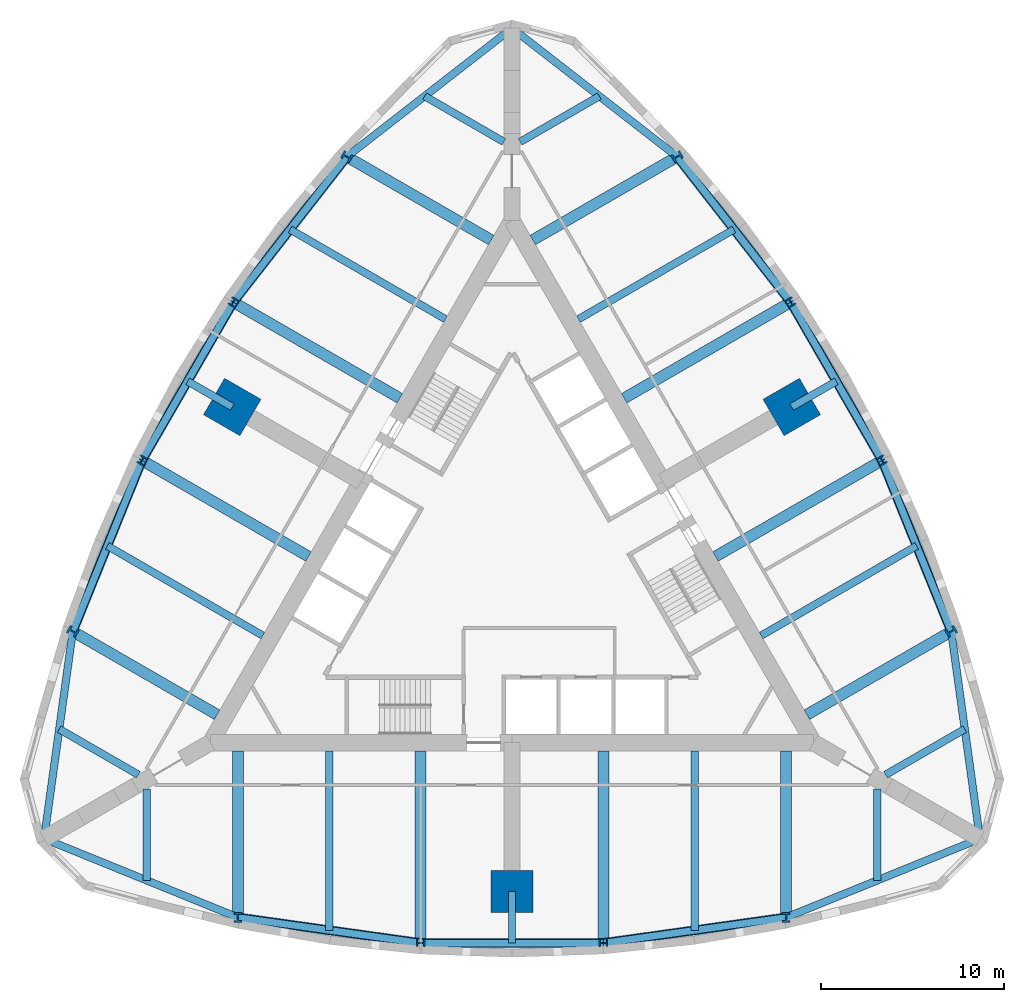
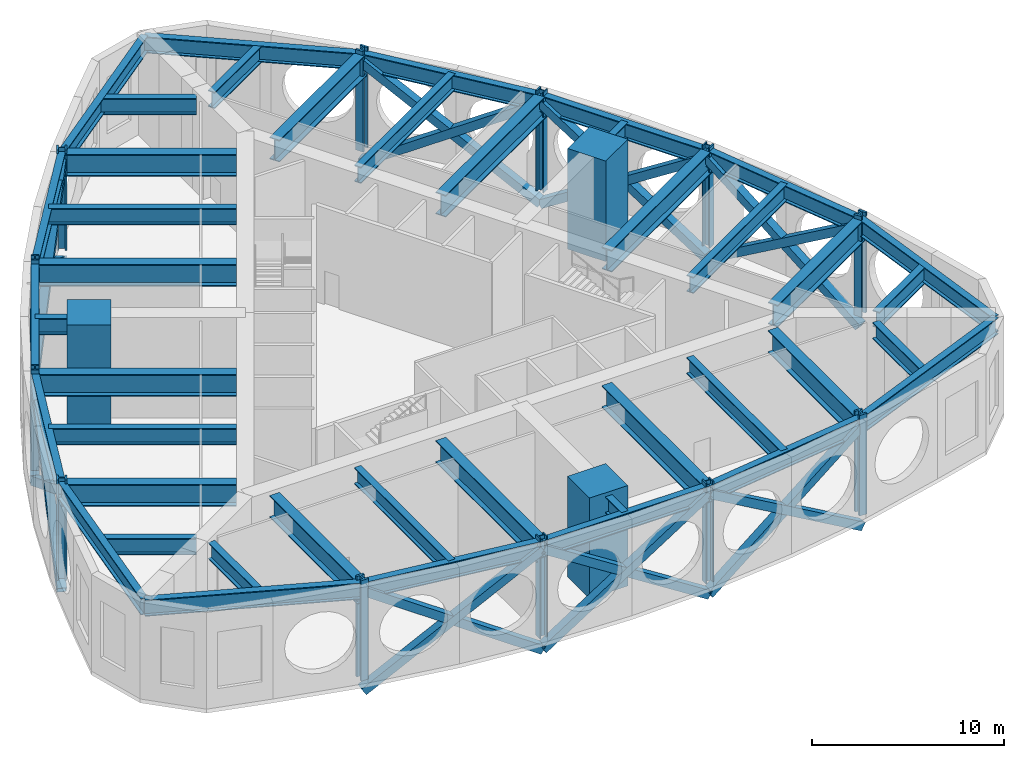
# One storey, part 1 of 7: 42 beams, 18 members, 15 columns.
"""IFC4 building model written with IfcOpenShell, lengths in metres."""

import ifcopenshell
import ifcopenshell.guid

model = None  # the IFC model being written
_history = None  # IfcOwnerHistory: only IFC2X3 demands one
_inside = {}  # id of a spatial element -> (the spatial element, [elements in it])
_under = {}  # id of a project, library or spatial element -> (it, [spatial elements below it])
_declared = {}  # id of a project -> (the project, [libraries it declares])
_typed = {}  # id of a type object -> (the type object, [elements of that type])
_made_of = {}  # id of a material, layer set ... -> (it, [elements and type objects made of it])


def new_model(schema):
    """Start an empty IFC model of exactly this schema.

    Asked for "IFC4X3", IfcOpenShell would pick the latest addendum, in which some entities
    have other attributes; the version numbers below select the first issue.
    IFC2X3 requires an IfcOwnerHistory on every rooted entity: one is made here for all.
    """
    global model, _history
    if schema == "IFC4X3":
        model = ifcopenshell.file(schema_version=(4, 3, 0, 0))
    else:
        model = ifcopenshell.file(schema=schema)
    _inside.clear()
    _under.clear()
    _declared.clear()
    _typed.clear()
    _made_of.clear()
    _history = None
    if model.schema == "IFC2X3":
        org = make("IfcOrganization", Name="unknown")
        user = make(
            "IfcPersonAndOrganization",
            ThePerson=make("IfcPerson", FamilyName="unknown"),
            TheOrganization=org,
        )
        app = make(
            "IfcApplication",
            ApplicationDeveloper=org,
            Version="unknown",
            ApplicationFullName="unknown",
            ApplicationIdentifier="unknown",
        )
        _history = make(
            "IfcOwnerHistory",
            OwningUser=user,
            OwningApplication=app,
            ChangeAction="ADDED",
            CreationDate=0,
        )
    return model


def make(cls, **values):
    """One entity of the class cls with the attributes given. An attribute that is None is left unset."""
    return model.create_entity(
        cls, **{name: value for name, value in values.items() if value is not None}
    )


def rooted(cls, **values):
    """An entity with a GlobalId (a new one), such as an element, a storey or a relation."""
    return make(cls, GlobalId=ifcopenshell.guid.new(), OwnerHistory=_history, **values)


def si_unit(unit_type, name, prefix=None):
    """IfcSIUnit, for example si_unit("LENGTHUNIT", "METRE", prefix="MILLI")."""
    return make("IfcSIUnit", UnitType=unit_type, Prefix=prefix, Name=name)


def assignment(units):
    """IfcUnitAssignment: the units of a project."""
    return None if units is None else make("IfcUnitAssignment", Units=units)


def point(xyz):
    """IfcCartesianPoint."""
    return None if xyz is None else make("IfcCartesianPoint", Coordinates=xyz)


def direction(xyz):
    """IfcDirection."""
    return None if xyz is None else make("IfcDirection", DirectionRatios=xyz)


def frame(location, z_axis=None, x_axis=None):
    """IfcAxis2Placement3D, a coordinate frame: its origin and axes. An axis left out is left unset."""
    return make(
        "IfcAxis2Placement3D",
        Location=point(location),
        Axis=direction(z_axis),
        RefDirection=direction(x_axis),
    )


def frame_2d(location, x_axis=None):
    """IfcAxis2Placement2D, a coordinate frame in the plane: its origin and x axis."""
    return make(
        "IfcAxis2Placement2D", Location=point(location), RefDirection=direction(x_axis)
    )


def origin():
    """The frame at (0, 0, 0) with its axes left unset."""
    return frame((0.0, 0.0, 0.0))


def origin_2d():
    """The frame at (0, 0) in the plane with its x axis left unset."""
    return frame_2d((0.0, 0.0))


def place(relative_to, where):
    """IfcLocalPlacement: puts the frame where relative to a parent placement (None: the world)."""
    return make(
        "IfcLocalPlacement", PlacementRelTo=relative_to, RelativePlacement=where
    )


def context(
    kind, dimensions, precision=None, world=None, true_north=None, identifier=None
):
    """IfcGeometricRepresentationContext, for example the 3D "Model" context."""
    return make(
        "IfcGeometricRepresentationContext",
        ContextIdentifier=identifier,
        ContextType=kind,
        CoordinateSpaceDimension=dimensions,
        Precision=precision,
        WorldCoordinateSystem=world,
        TrueNorth=true_north,
    )


def subcontext(parent, identifier, kind, view, scale=None):
    """IfcGeometricRepresentationSubContext, for example "Body" below "Model"."""
    return make(
        "IfcGeometricRepresentationSubContext",
        ContextIdentifier=identifier,
        ContextType=kind,
        ParentContext=parent,
        TargetScale=scale,
        TargetView=view,
    )


def project(units=None, contexts=None):
    """IfcProject with its units and contexts."""
    return rooted(
        "IfcProject",
        Name="project",
        RepresentationContexts=contexts,
        UnitsInContext=assignment(units),
    )


def spatial(cls, under=None, at=None, **own):
    """A site, building, storey or space (cls), placed at a placement, below another one or the project."""
    s = rooted(cls, ObjectPlacement=at, **own)
    if under is not None:
        _under.setdefault(under.id(), (under, []))[1].append(s)
    return s


def profile(cls, at=None, kind="AREA", **sizes):
    """A parametric profile (cls). Its sizes go by their IFC names, for example OverallWidth=200.0."""
    return make(cls, ProfileType=kind, Position=at, **sizes)


def rectangle(**sizes):
    """IfcRectangleProfileDef."""
    return profile("IfcRectangleProfileDef", **sizes)


def hollow_rectangle(**sizes):
    """IfcRectangleHollowProfileDef."""
    return profile("IfcRectangleHollowProfileDef", **sizes)


def i_section(**sizes):
    """IfcIShapeProfileDef."""
    return profile("IfcIShapeProfileDef", **sizes)


def extrude(swept, where, along, depth):
    """IfcExtrudedAreaSolid: the profile swept, set in the frame where, extruded along a direction by depth."""
    return make(
        "IfcExtrudedAreaSolid",
        SweptArea=swept,
        Position=where,
        ExtrudedDirection=direction(along),
        Depth=depth,
    )


def shape(context_of_items, identifier, shape_type, items):
    """IfcShapeRepresentation: the items that make up one representation, for example the "Body"."""
    return make(
        "IfcShapeRepresentation",
        ContextOfItems=context_of_items,
        RepresentationIdentifier=identifier,
        RepresentationType=shape_type,
        Items=items,
    )


def material(Name=None, Category=None):
    """IfcMaterial."""
    return make("IfcMaterial", Name=Name, Category=Category)


def material_profile(
    of_material, cross_section, Name=None, Category=None, Priority=None
):
    """IfcMaterialProfile: a cross section and its material."""
    return make(
        "IfcMaterialProfile",
        Name=Name,
        Material=of_material,
        Profile=cross_section,
        Priority=Priority,
        Category=Category,
    )


def profile_set(profiles, Name=None, composite=None):
    """IfcMaterialProfileSet."""
    return make(
        "IfcMaterialProfileSet",
        Name=Name,
        MaterialProfiles=profiles,
        CompositeProfile=composite,
    )


def made_of(thing, what):
    """Note that an element or type object is made of a material, layer set ...; save() writes the relation."""
    if what is not None:
        _made_of.setdefault(what.id(), (what, []))[1].append(thing)
    return thing


def type_object(cls, material=None, **own):
    """A type object (cls), such as IfcWallType, which elements share."""
    return made_of(rooted(cls, **own), material)


def element(
    cls,
    number,
    at=None,
    inside=None,
    cuts=None,
    type_object=None,
    material=None,
    context=None,
    identifier="Body",
    shape_type=None,
    held_by="IfcProductDefinitionShape",
    body=None,
    shapes=None,
    **own,
):
    """One element of the class cls, such as IfcWall. Its Tag is "e" and its number.

    at: its placement. inside: the storey or other place that contains it. cuts: it is an
    opening in that element (IfcRelVoidsElement). A single representation is given by context,
    identifier, shape_type and body (its items); several are given by shapes. held_by: the class
    of the entity that holds the representations. save() writes the other relations.
    """
    e = rooted(cls, Tag="e%d" % number, ObjectPlacement=at, **own)
    if body is not None:
        shapes = [shape(context, identifier, shape_type, body)]
    if shapes is not None:
        e.Representation = make(held_by, Representations=shapes)
    if inside is not None:
        _inside.setdefault(inside.id(), (inside, []))[1].append(e)
    if cuts is not None:
        rooted(
            "IfcRelVoidsElement", RelatingBuildingElement=cuts, RelatedOpeningElement=e
        )
    if type_object is not None:
        _typed.setdefault(type_object.id(), (type_object, []))[1].append(e)
    return made_of(e, material)


def aggregate(whole, parts):
    """IfcRelAggregates: a whole, such as a stair, and the parts it consists of."""
    return rooted("IfcRelAggregates", RelatingObject=whole, RelatedObjects=parts)


def save(model, path):
    """Write the relations noted so far, then the file.

    IfcRelAggregates (storeys below a building ...), IfcRelContainedInSpatialStructure (elements
    in a storey), IfcRelDefinesByType, IfcRelAssociatesMaterial and IfcRelDeclares: one each for
    every whole, place, type object, material and project.
    """
    for whole, parts in _under.values():
        aggregate(whole, parts)
    for where, things in _inside.values():
        rooted(
            "IfcRelContainedInSpatialStructure",
            RelatedElements=things,
            RelatingStructure=where,
        )
    for kind, things in _typed.values():
        rooted("IfcRelDefinesByType", RelatedObjects=things, RelatingType=kind)
    for what, things in _made_of.values():
        rooted("IfcRelAssociatesMaterial", RelatedObjects=things, RelatingMaterial=what)
    for by, libraries in _declared.values():
        rooted("IfcRelDeclares", RelatingContext=by, RelatedDefinitions=libraries)
    model.write(path)


model = new_model("IFC4")

# Units and contexts
model_context = context("Model", 3, precision=1e-05, world=origin(), true_north=direction((0.0, 1.0)))
body_context = subcontext(model_context, "Body", "Model", "MODEL_VIEW")
ifc_project = project(units=[si_unit("LENGTHUNIT", "METRE"), si_unit("AREAUNIT", "SQUARE_METRE"), si_unit("VOLUMEUNIT", "CUBIC_METRE"), si_unit("PLANEANGLEUNIT", "RADIAN"), si_unit("MASSUNIT", "GRAM", prefix="KILO")], contexts=[model_context])

# Site, building, storey
site_placement = place(None, origin())
site = spatial("IfcSite", under=ifc_project, at=site_placement, CompositionType="ELEMENT")
building_placement = place(site_placement, origin())
building = spatial("IfcBuilding", under=site, at=building_placement, Name="Trikona Tower", CompositionType="ELEMENT")
storey_placement = place(building_placement, frame((0.0, 0.0, 189.5)))
storey = spatial("IfcBuildingStorey", under=building, at=storey_placement, Name="L51", CompositionType="ELEMENT", Elevation=189.5)

# Columns
ifc_material_1 = material(Name="Concrete f'c 10000 psi with encased steel section", Category="concrete")
ifc_material_profile_1 = material_profile(ifc_material_1, rectangle(XDim=2.300048828125, YDim=2.300048828125, at=origin_2d()), Name="MC2300")
ifc_profile_set_1 = profile_set([ifc_material_profile_1], Name="Concrete f'c 10000 psi with encased steel section")
column_type_1 = type_object("IfcColumnType", Name="Composite mega column 2300x2300", PredefinedType="COLUMN", material=ifc_profile_set_1)
for number, where, z_axis, x_axis, name in (
    (1, (0.0, -17.680419921875, 0.0), (0.0, 0.0, 1.0), (0.0, -1.0, 0.0), "Mega column MC1"),
    (2, (15.311767578125, 8.84033203125, 0.0), (0.0, 0.0, 1.0), (0.866025403784, 0.5, 0.0), "Mega column MC2"),
    (3, (-15.311767578125, 8.84033203125, 0.0), (0.0, 0.0, 1.0), (-0.866025403784, 0.5, 0.0), "Mega column MC3"),
):
    element("IfcColumn", number, at=place(storey_placement, frame(where, z_axis=z_axis, x_axis=x_axis)), inside=storey, type_object=column_type_1, Name=name, PredefinedType="COLUMN", context=body_context, shape_type="SweptSolid", body=[
        extrude(rectangle(XDim=2.300048828125, YDim=2.300048828125, at=origin_2d()), origin(), (0.0, 0.0, 1.0), 6.39990234375),
    ])
ifc_material_2 = material(Name="Steel ASTM A992 Grade 50", Category="steel")
ifc_material_profile_2 = material_profile(ifc_material_2, i_section(OverallWidth=0.424072265625, OverallDepth=0.47509765625, WebThickness=0.0478515625, FlangeThickness=0.0771484375, at=origin_2d()), Name="W14X426")
ifc_profile_set_2 = profile_set([ifc_material_profile_2], Name="Steel ASTM A992 Grade 50")
column_type_2 = type_object("IfcColumnType", Name="Steel column W14x426", PredefinedType="COLUMN", material=ifc_profile_set_2)
for number, where, z_axis, x_axis, name in (
    (4, (-5.0, -20.500244140625, 0.0), (0.0, 0.0, 1.0), (0.0, -1.0, 0.0), "Column F0m5"),
    (5, (5.0, -20.500244140625, 0.0), (0.0, 0.0, 1.0), (0.0, -1.0, 0.0), "Column F0p5"),
    (6, (20.253662109375, 5.919921875, 0.0), (0.0, 0.0, 1.0), (0.866025403784, 0.5, 0.0), "Column F1m5"),
    (7, (15.253662109375, 14.580078125, 0.0), (0.0, 0.0, 1.0), (0.866025403784, 0.5, 0.0), "Column F1p5"),
    (8, (-15.253662109375, 14.580078125, 0.0), (0.0, 0.0, 1.0), (-0.866025403784, 0.5, 0.0), "Column F2m5"),
    (9, (-20.253662109375, 5.919921875, 0.0), (0.0, 0.0, 1.0), (-0.866025403784, 0.5, 0.0), "Column F2p5"),
):
    element("IfcColumn", number, at=place(storey_placement, frame(where, z_axis=z_axis, x_axis=x_axis)), inside=storey, type_object=column_type_2, Name=name, PredefinedType="COLUMN", context=body_context, shape_type="SweptSolid", body=[
        extrude(i_section(OverallWidth=0.424072265625, OverallDepth=0.47509765625, WebThickness=0.0478515625, FlangeThickness=0.0771484375, at=origin_2d()), origin(), (0.0, 0.0, 1.0), 6.39990234375),
    ])
ifc_material_3 = material(Name="Steel ASTM A992 Grade 50", Category="steel")
ifc_material_profile_3 = material_profile(ifc_material_3, i_section(OverallWidth=0.45458984375, OverallDepth=0.56884765625, WebThickness=0.077880859375, FlangeThickness=0.124755859375, at=origin_2d()), Name="W14X730")
ifc_profile_set_3 = profile_set([ifc_material_profile_3], Name="Steel ASTM A992 Grade 50")
column_type_3 = type_object("IfcColumnType", Name="Steel column W14x730", PredefinedType="COLUMN", material=ifc_profile_set_3)
for number, where, z_axis, x_axis, name in (
    (10, (-15.0, -19.10009765625, 0.0), (0.0, 0.0, 1.0), (1.0, 0.0, 0.0), "Column F0m15"),
    (11, (15.0, -19.10009765625, 0.0), (0.0, 0.0, 1.0), (1.0, 0.0, 0.0), "Column F0p15"),
    (12, (24.041259765625, -3.440185546875, 0.0), (0.0, 0.0, 1.0), (-0.5, 0.866025403784, 0.0), "Column F1m15"),
    (13, (9.041259765625, 22.54052734375, 0.0), (0.0, 0.0, 1.0), (-0.5, 0.866025403784, 0.0), "Column F1p15"),
    (14, (-9.041259765625, 22.54052734375, 0.0), (0.0, 0.0, 1.0), (-0.5, -0.866025403784, 0.0), "Column F2m15"),
    (15, (-24.041259765625, -3.440185546875, 0.0), (0.0, 0.0, 1.0), (-0.5, -0.866025403784, 0.0), "Column F2p15"),
):
    element("IfcColumn", number, at=place(storey_placement, frame(where, z_axis=z_axis, x_axis=x_axis)), inside=storey, type_object=column_type_3, Name=name, PredefinedType="COLUMN", context=body_context, shape_type="SweptSolid", body=[
        extrude(i_section(OverallWidth=0.45458984375, OverallDepth=0.56884765625, WebThickness=0.077880859375, FlangeThickness=0.124755859375, at=origin_2d()), origin(), (0.0, 0.0, 1.0), 6.39990234375),
    ])

# Members
ifc_material_4 = material(Name="Steel ASTM A500 Grade C", Category="steel")
ifc_material_profile_4 = material_profile(ifc_material_4, hollow_rectangle(XDim=0.508056640625, YDim=0.508056640625, WallThickness=0.0146484375, at=origin_2d()), Name="HSS20X20X5/8")
ifc_profile_set_4 = profile_set([ifc_material_profile_4], Name="Steel ASTM A500 Grade C")
member_type = type_object("IfcMemberType", Name="Belt truss diagonal HSS20x20x5/8", PredefinedType="BRACE", material=ifc_profile_set_4)
for number, where, z_axis, x_axis, name in (
    (16, (-15.0, -19.10009765625, -0.770751953125), (0.83646933477, -0.117117959837, 0.535352627222), (0.13866207258, 0.990339754644, 0.0), "Belt truss diagonal L51 F1-2a"),
    (17, (-5.0, -20.500244140625, -0.770751953125), (-0.83646933477, 0.117117959837, 0.535352627222), (-0.13866207258, -0.990339754644, 0.0), "Belt truss diagonal L51 F1-2b"),
):
    element("IfcMember", number, at=place(storey_placement, frame(where, z_axis=z_axis, x_axis=x_axis)), inside=storey, type_object=member_type, Name=name, PredefinedType="BRACE", context=body_context, shape_type="SweptSolid", body=[
        extrude(hollow_rectangle(XDim=0.508056640625, YDim=0.508056640625, WallThickness=0.0146484375, at=origin_2d()), origin(), (0.0, 0.0, 1.0), 11.955078125),
    ])
for number, where, z_axis, x_axis, name in (
    (18, (-5.0, -20.500244140625, -0.770751953125), (0.842265798855, 0.0, 0.539062449145), (0.0, 1.0, 0.0), "Belt truss diagonal L51 F1-3a"),
    (19, (5.0, -20.500244140625, -0.770751953125), (-0.842265798855, 0.0, 0.539062449145), (0.0, -1.0, 0.0), "Belt truss diagonal L51 F1-3b"),
):
    element("IfcMember", number, at=place(storey_placement, frame(where, z_axis=z_axis, x_axis=x_axis)), inside=storey, type_object=member_type, Name=name, PredefinedType="BRACE", context=body_context, shape_type="SweptSolid", body=[
        extrude(hollow_rectangle(XDim=0.508056640625, YDim=0.508056640625, WallThickness=0.0146484375, at=origin_2d()), origin(), (0.0, 0.0, 1.0), 11.872802734375),
    ])
for number, where, z_axis, x_axis, name in (
    (20, (5.0, -20.500244140625, -0.770751953125), (0.83646933477, 0.117117959837, 0.535352627222), (-0.13866207258, 0.990339754644, 0.0), "Belt truss diagonal L51 F1-4a"),
    (21, (15.0, -19.10009765625, -0.770751953125), (-0.83646933477, -0.117117959837, 0.535352627222), (0.13866207258, -0.990339754644, 0.0), "Belt truss diagonal L51 F1-4b"),
):
    element("IfcMember", number, at=place(storey_placement, frame(where, z_axis=z_axis, x_axis=x_axis)), inside=storey, type_object=member_type, Name=name, PredefinedType="BRACE", context=body_context, shape_type="SweptSolid", body=[
        extrude(hollow_rectangle(XDim=0.508056640625, YDim=0.508056640625, WallThickness=0.0146484375, at=origin_2d()), origin(), (0.0, 0.0, 1.0), 11.955078125),
    ])
for number, where, z_axis, x_axis, name in (
    (22, (24.041259765625, -3.440185546875, -0.770751953125), (-0.316824147078, 0.782952235067, 0.535358064693), (-0.926981846307, -0.375106193787, 0.0), "Belt truss diagonal L51 F2-2a"),
    (23, (20.253662109375, 5.919921875, -0.770751953125), (0.316824147078, -0.782952235067, 0.535358064693), (0.926981846307, 0.375106193787, 0.0), "Belt truss diagonal L51 F2-2b"),
):
    element("IfcMember", number, at=place(storey_placement, frame(where, z_axis=z_axis, x_axis=x_axis)), inside=storey, type_object=member_type, Name=name, PredefinedType="BRACE", context=body_context, shape_type="SweptSolid", body=[
        extrude(hollow_rectangle(XDim=0.508056640625, YDim=0.508056640625, WallThickness=0.0146484375, at=origin_2d()), origin(), (0.0, 0.0, 1.0), 11.954833984375),
    ])
for number, where, z_axis, x_axis, name in (
    (24, (20.253662109375, 5.919921875, -0.770751953125), (-0.421135429509, 0.729419724392, 0.539065687723), (-0.866022959057, -0.500004234368, 0.0), "Belt truss diagonal L51 F2-3a"),
    (25, (15.253662109375, 14.580078125, -0.770751953125), (0.421135429509, -0.729419724392, 0.539065687723), (0.866022959057, 0.500004234368, 0.0), "Belt truss diagonal L51 F2-3b"),
):
    element("IfcMember", number, at=place(storey_placement, frame(where, z_axis=z_axis, x_axis=x_axis)), inside=storey, type_object=member_type, Name=name, PredefinedType="BRACE", context=body_context, shape_type="SweptSolid", body=[
        extrude(hollow_rectangle(XDim=0.508056640625, YDim=0.508056640625, WallThickness=0.0146484375, at=origin_2d()), origin(), (0.0, 0.0, 1.0), 11.87255859375),
    ])
for number, where, z_axis, x_axis, name in (
    (26, (15.253662109375, 14.580078125, -0.770751953125), (-0.519644252604, 0.665861844707, 0.53534834874), (-0.788346101046, -0.615232009054, 0.0), "Belt truss diagonal L51 F2-4a"),
    (27, (9.041259765625, 22.54052734375, -0.770751953125), (0.519644252604, -0.665861844707, 0.53534834874), (0.788346101046, 0.615232009054, 0.0), "Belt truss diagonal L51 F2-4b"),
    (28, (-9.041259765625, 22.54052734375, -0.770751953125), (-0.519644252604, -0.665861844707, 0.53534834874), (0.788346101046, -0.615232009054, 0.0), "Belt truss diagonal L51 F3-2a"),
    (29, (-15.253662109375, 14.580078125, -0.770751953125), (0.519644252604, 0.665861844707, 0.53534834874), (-0.788346101046, 0.615232009054, 0.0), "Belt truss diagonal L51 F3-2b"),
):
    element("IfcMember", number, at=place(storey_placement, frame(where, z_axis=z_axis, x_axis=x_axis)), inside=storey, type_object=member_type, Name=name, PredefinedType="BRACE", context=body_context, shape_type="SweptSolid", body=[
        extrude(hollow_rectangle(XDim=0.508056640625, YDim=0.508056640625, WallThickness=0.0146484375, at=origin_2d()), origin(), (0.0, 0.0, 1.0), 11.955078125),
    ])
for number, where, z_axis, x_axis, name in (
    (30, (-15.253662109375, 14.580078125, -0.770751953125), (-0.421135429509, -0.729419724392, 0.539065687723), (0.866022959057, -0.500004234368, 0.0), "Belt truss diagonal L51 F3-3a"),
    (31, (-20.253662109375, 5.919921875, -0.770751953125), (0.421135429509, 0.729419724392, 0.539065687723), (-0.866022959057, 0.500004234368, 0.0), "Belt truss diagonal L51 F3-3b"),
):
    element("IfcMember", number, at=place(storey_placement, frame(where, z_axis=z_axis, x_axis=x_axis)), inside=storey, type_object=member_type, Name=name, PredefinedType="BRACE", context=body_context, shape_type="SweptSolid", body=[
        extrude(hollow_rectangle(XDim=0.508056640625, YDim=0.508056640625, WallThickness=0.0146484375, at=origin_2d()), origin(), (0.0, 0.0, 1.0), 11.87255859375),
    ])
for number, where, z_axis, x_axis, name in (
    (32, (-20.253662109375, 5.919921875, -0.770751953125), (-0.316824147078, -0.782952235067, 0.535358064693), (0.926981846307, -0.375106193787, 0.0), "Belt truss diagonal L51 F3-4a"),
    (33, (-24.041259765625, -3.440185546875, -0.770751953125), (0.316824147078, 0.782952235067, 0.535358064693), (-0.926981846307, 0.375106193787, 0.0), "Belt truss diagonal L51 F3-4b"),
):
    element("IfcMember", number, at=place(storey_placement, frame(where, z_axis=z_axis, x_axis=x_axis)), inside=storey, type_object=member_type, Name=name, PredefinedType="BRACE", context=body_context, shape_type="SweptSolid", body=[
        extrude(hollow_rectangle(XDim=0.508056640625, YDim=0.508056640625, WallThickness=0.0146484375, at=origin_2d()), origin(), (0.0, 0.0, 1.0), 11.954833984375),
    ])

# Beams
ifc_material_5 = material(Name="Steel ASTM A992 Grade 50", Category="steel")
ifc_material_profile_5 = material_profile(ifc_material_5, i_section(OverallWidth=0.60009765625, OverallDepth=1.39990234375, WebThickness=0.044921875, FlangeThickness=0.06005859375, at=origin_2d()), Name="PG1400X600")
ifc_profile_set_5 = profile_set([ifc_material_profile_5], Name="Steel ASTM A992 Grade 50")
beam_type_1 = type_object("IfcBeamType", Name="Steel beam PG1400x600 (transfer)", PredefinedType="USERDEFINED", material=ifc_profile_set_5)
beam_1_placement = place(storey_placement, frame((-15.0, -9.976318359375, 5.449951171875), z_axis=(0.0, -1.0, 0.0), x_axis=(1.0, 0.0, 0.0)))
element("IfcBeam", 34, at=beam_1_placement, inside=storey, type_object=beam_type_1, Name="Transfer girder L52 F1 u-15", ObjectType="TRANSFER GIRDER", PredefinedType="USERDEFINED", context=body_context, shape_type="SweptSolid", body=[
    extrude(i_section(OverallWidth=0.60009765625, OverallDepth=1.39990234375, WebThickness=0.044921875, FlangeThickness=0.06005859375, at=origin_2d()), origin(), (0.0, 0.0, 1.0), 9.123779296875),
])
for number, where, z_axis, x_axis, name in (
    (35, (-5.0, -9.976318359375, 5.449951171875), (0.0, -1.0, 0.0), (1.0, 0.0, 0.0), "Transfer girder L52 F1 u-5"),
    (36, (5.0, -9.976318359375, 5.449951171875), (0.0, -1.0, 0.0), (1.0, 0.0, 0.0), "Transfer girder L52 F1 u5"),
):
    element("IfcBeam", number, at=place(storey_placement, frame(where, z_axis=z_axis, x_axis=x_axis)), inside=storey, type_object=beam_type_1, Name=name, ObjectType="TRANSFER GIRDER", PredefinedType="USERDEFINED", context=body_context, shape_type="SweptSolid", body=[
        extrude(i_section(OverallWidth=0.60009765625, OverallDepth=1.39990234375, WebThickness=0.044921875, FlangeThickness=0.06005859375, at=origin_2d()), origin(), (0.0, 0.0, 1.0), 10.52392578125),
    ])
beam_2_placement = place(storey_placement, frame((15.0, -9.976318359375, 5.449951171875), z_axis=(0.0, -1.0, 0.0), x_axis=(1.0, 0.0, 0.0)))
element("IfcBeam", 37, at=beam_2_placement, inside=storey, type_object=beam_type_1, Name="Transfer girder L52 F1 u15", ObjectType="TRANSFER GIRDER", PredefinedType="USERDEFINED", context=body_context, shape_type="SweptSolid", body=[
    extrude(i_section(OverallWidth=0.60009765625, OverallDepth=1.39990234375, WebThickness=0.044921875, FlangeThickness=0.06005859375, at=origin_2d()), origin(), (0.0, 0.0, 1.0), 9.123779296875),
])
beam_3_placement = place(storey_placement, frame((16.1396484375, -8.002197265625, 5.449951171875), z_axis=(0.866024725532, 0.500001174766, 0.0), x_axis=(-0.500001174766, 0.866024725532, 0.0)))
element("IfcBeam", 38, at=beam_3_placement, inside=storey, type_object=beam_type_1, Name="Transfer girder L52 F2 u-15", ObjectType="TRANSFER GIRDER", PredefinedType="USERDEFINED", context=body_context, shape_type="SweptSolid", body=[
    extrude(i_section(OverallWidth=0.60009765625, OverallDepth=1.39990234375, WebThickness=0.044921875, FlangeThickness=0.06005859375, at=origin_2d()), origin(), (0.0, 0.0, 1.0), 9.1240234375),
])
for number, where, z_axis, x_axis, name in (
    (39, (11.1396484375, 0.657958984375, 5.449951171875), (0.866026035623, 0.499998905622, 0.0), (-0.499998905622, 0.866026035623, 0.0), "Transfer girder L52 F2 u-5"),
    (40, (6.1396484375, 9.318359375, 5.449951171875), (0.866036080828, 0.499981506362, 0.0), (-0.499981506362, 0.866036080828, 0.0), "Transfer girder L52 F2 u5"),
):
    element("IfcBeam", number, at=place(storey_placement, frame(where, z_axis=z_axis, x_axis=x_axis)), inside=storey, type_object=beam_type_1, Name=name, ObjectType="TRANSFER GIRDER", PredefinedType="USERDEFINED", context=body_context, shape_type="SweptSolid", body=[
        extrude(i_section(OverallWidth=0.60009765625, OverallDepth=1.39990234375, WebThickness=0.044921875, FlangeThickness=0.06005859375, at=origin_2d()), origin(), (0.0, 0.0, 1.0), 10.52392578125),
    ])
for number, where, z_axis, x_axis, name in (
    (41, (1.1396484375, 17.978515625, 5.449951171875), (0.866024725532, 0.500001174766, 0.0), (-0.500001174766, 0.866024725532, 0.0), "Transfer girder L52 F2 u15"),
    (42, (-1.1396484375, 17.978515625, 5.449951171875), (-0.866024725532, 0.500001174766, 0.0), (-0.500001174766, -0.866024725532, 0.0), "Transfer girder L52 F3 u-15"),
):
    element("IfcBeam", number, at=place(storey_placement, frame(where, z_axis=z_axis, x_axis=x_axis)), inside=storey, type_object=beam_type_1, Name=name, ObjectType="TRANSFER GIRDER", PredefinedType="USERDEFINED", context=body_context, shape_type="SweptSolid", body=[
        extrude(i_section(OverallWidth=0.60009765625, OverallDepth=1.39990234375, WebThickness=0.044921875, FlangeThickness=0.06005859375, at=origin_2d()), origin(), (0.0, 0.0, 1.0), 9.1240234375),
    ])
for number, where, z_axis, x_axis, name in (
    (43, (-6.1396484375, 9.318359375, 5.449951171875), (-0.866036080828, 0.499981506362, 0.0), (-0.499981506362, -0.866036080828, 0.0), "Transfer girder L52 F3 u-5"),
    (44, (-11.1396484375, 0.657958984375, 5.449951171875), (-0.866026035623, 0.499998905622, 0.0), (-0.499998905622, -0.866026035623, 0.0), "Transfer girder L52 F3 u5"),
):
    element("IfcBeam", number, at=place(storey_placement, frame(where, z_axis=z_axis, x_axis=x_axis)), inside=storey, type_object=beam_type_1, Name=name, ObjectType="TRANSFER GIRDER", PredefinedType="USERDEFINED", context=body_context, shape_type="SweptSolid", body=[
        extrude(i_section(OverallWidth=0.60009765625, OverallDepth=1.39990234375, WebThickness=0.044921875, FlangeThickness=0.06005859375, at=origin_2d()), origin(), (0.0, 0.0, 1.0), 10.52392578125),
    ])
beam_4_placement = place(storey_placement, frame((-16.1396484375, -8.002197265625, 5.449951171875), z_axis=(-0.866024725532, 0.500001174766, 0.0), x_axis=(-0.500001174766, -0.866024725532, 0.0)))
element("IfcBeam", 45, at=beam_4_placement, inside=storey, type_object=beam_type_1, Name="Transfer girder L52 F3 u15", ObjectType="TRANSFER GIRDER", PredefinedType="USERDEFINED", context=body_context, shape_type="SweptSolid", body=[
    extrude(i_section(OverallWidth=0.60009765625, OverallDepth=1.39990234375, WebThickness=0.044921875, FlangeThickness=0.06005859375, at=origin_2d()), origin(), (0.0, 0.0, 1.0), 9.1240234375),
])
ifc_material_6 = material(Name="Steel ASTM A992 Grade 50", Category="steel")
ifc_material_profile_6 = material_profile(ifc_material_6, i_section(OverallWidth=0.408935546875, OverallDepth=1.04150390625, WebThickness=0.031005859375, FlangeThickness=0.055908203125, at=origin_2d()), Name="W40X397")
ifc_profile_set_6 = profile_set([ifc_material_profile_6], Name="Steel ASTM A992 Grade 50")
beam_type_2 = type_object("IfcBeamType", Name="Steel beam W40x397 (plant spandrel)", PredefinedType="SPANDREL", material=ifc_profile_set_6)
beam_5_placement = place(storey_placement, frame((-25.6103515625, -14.7861328125, 5.62939453125), z_axis=(0.926359695662, -0.376640032728, 0.0), x_axis=(0.376640032728, 0.926359695662, 0.0)))
element("IfcBeam", 46, at=beam_5_placement, inside=storey, type_object=beam_type_2, Name="Spandrel beam L52 F1-1", PredefinedType="SPANDREL", context=body_context, shape_type="SweptSolid", body=[
    extrude(i_section(OverallWidth=0.408935546875, OverallDepth=1.04150390625, WebThickness=0.031005859375, FlangeThickness=0.055908203125, at=origin_2d()), origin(), (0.0, 0.0, 1.0), 11.453857421875),
])
beam_6_placement = place(storey_placement, frame((-15.0, -19.10009765625, 5.62939453125), z_axis=(0.990339754644, -0.13866207258, 0.0), x_axis=(0.13866207258, 0.990339754644, 0.0)))
element("IfcBeam", 47, at=beam_6_placement, inside=storey, type_object=beam_type_2, Name="Spandrel beam L52 F1-2", PredefinedType="SPANDREL", context=body_context, shape_type="SweptSolid", body=[
    extrude(i_section(OverallWidth=0.408935546875, OverallDepth=1.04150390625, WebThickness=0.031005859375, FlangeThickness=0.055908203125, at=origin_2d()), origin(), (0.0, 0.0, 1.0), 10.09765625),
])
beam_7_placement = place(storey_placement, frame((-5.0, -20.500244140625, 5.62939453125), z_axis=(1.0, 0.0, 0.0), x_axis=(0.0, 1.0, 0.0)))
element("IfcBeam", 48, at=beam_7_placement, inside=storey, type_object=beam_type_2, Name="Spandrel beam L52 F1-3", PredefinedType="SPANDREL", context=body_context, shape_type="SweptSolid", body=[
    extrude(i_section(OverallWidth=0.408935546875, OverallDepth=1.04150390625, WebThickness=0.031005859375, FlangeThickness=0.055908203125, at=origin_2d()), origin(), (0.0, 0.0, 1.0), 10.0),
])
beam_8_placement = place(storey_placement, frame((5.0, -20.500244140625, 5.62939453125), z_axis=(0.990339754644, 0.13866207258, 0.0), x_axis=(-0.13866207258, 0.990339754644, 0.0)))
element("IfcBeam", 49, at=beam_8_placement, inside=storey, type_object=beam_type_2, Name="Spandrel beam L52 F1-4", PredefinedType="SPANDREL", context=body_context, shape_type="SweptSolid", body=[
    extrude(i_section(OverallWidth=0.408935546875, OverallDepth=1.04150390625, WebThickness=0.031005859375, FlangeThickness=0.055908203125, at=origin_2d()), origin(), (0.0, 0.0, 1.0), 10.09765625),
])
for number, where, z_axis, x_axis, name in (
    (50, (15.0, -19.10009765625, 5.62939453125), (0.926359695662, 0.376640032728, 0.0), (-0.376640032728, 0.926359695662, 0.0), "Spandrel beam L52 F1-5"),
    (51, (25.6103515625, -14.7861328125, 5.62939453125), (-0.136991535842, 0.990572218017, 0.0), (-0.990572218017, -0.136991535842, 0.0), "Spandrel beam L52 F2-1"),
):
    element("IfcBeam", number, at=place(storey_placement, frame(where, z_axis=z_axis, x_axis=x_axis)), inside=storey, type_object=beam_type_2, Name=name, PredefinedType="SPANDREL", context=body_context, shape_type="SweptSolid", body=[
        extrude(i_section(OverallWidth=0.408935546875, OverallDepth=1.04150390625, WebThickness=0.031005859375, FlangeThickness=0.055908203125, at=origin_2d()), origin(), (0.0, 0.0, 1.0), 11.453857421875),
    ])
beam_9_placement = place(storey_placement, frame((24.041259765625, -3.440185546875, 5.62939453125), z_axis=(-0.375106193787, 0.926981846307, 0.0), x_axis=(-0.926981846307, -0.375106193787, 0.0)))
element("IfcBeam", 52, at=beam_9_placement, inside=storey, type_object=beam_type_2, Name="Spandrel beam L52 F2-2", PredefinedType="SPANDREL", context=body_context, shape_type="SweptSolid", body=[
    extrude(i_section(OverallWidth=0.408935546875, OverallDepth=1.04150390625, WebThickness=0.031005859375, FlangeThickness=0.055908203125, at=origin_2d()), origin(), (0.0, 0.0, 1.0), 10.097412109375),
])
beam_10_placement = place(storey_placement, frame((20.253662109375, 5.919921875, 5.62939453125), z_axis=(-0.500004234368, 0.866022959057, 0.0), x_axis=(-0.866022959057, -0.500004234368, 0.0)))
element("IfcBeam", 53, at=beam_10_placement, inside=storey, type_object=beam_type_2, Name="Spandrel beam L52 F2-3", PredefinedType="SPANDREL", context=body_context, shape_type="SweptSolid", body=[
    extrude(i_section(OverallWidth=0.408935546875, OverallDepth=1.04150390625, WebThickness=0.031005859375, FlangeThickness=0.055908203125, at=origin_2d()), origin(), (0.0, 0.0, 1.0), 10.0),
])
beam_11_placement = place(storey_placement, frame((15.253662109375, 14.580078125, 5.62939453125), z_axis=(-0.615232009054, 0.788346101046, 0.0), x_axis=(-0.788346101046, -0.615232009054, 0.0)))
element("IfcBeam", 54, at=beam_11_placement, inside=storey, type_object=beam_type_2, Name="Spandrel beam L52 F2-4", PredefinedType="SPANDREL", context=body_context, shape_type="SweptSolid", body=[
    extrude(i_section(OverallWidth=0.408935546875, OverallDepth=1.04150390625, WebThickness=0.031005859375, FlangeThickness=0.055908203125, at=origin_2d()), origin(), (0.0, 0.0, 1.0), 10.09765625),
])
for number, where, z_axis, x_axis, name in (
    (55, (9.041259765625, 22.54052734375, 5.62939453125), (-0.789367137808, 0.613921429621, 0.0), (-0.613921429621, -0.789367137808, 0.0), "Spandrel beam L52 F2-5"),
    (56, (0.0, 29.572265625, 5.62939453125), (-0.789367137808, -0.613921429621, 0.0), (0.613921429621, -0.789367137808, 0.0), "Spandrel beam L52 F3-1"),
):
    element("IfcBeam", number, at=place(storey_placement, frame(where, z_axis=z_axis, x_axis=x_axis)), inside=storey, type_object=beam_type_2, Name=name, PredefinedType="SPANDREL", context=body_context, shape_type="SweptSolid", body=[
        extrude(i_section(OverallWidth=0.408935546875, OverallDepth=1.04150390625, WebThickness=0.031005859375, FlangeThickness=0.055908203125, at=origin_2d()), origin(), (0.0, 0.0, 1.0), 11.453857421875),
    ])
beam_12_placement = place(storey_placement, frame((-9.041259765625, 22.54052734375, 5.62939453125), z_axis=(-0.615232009054, -0.788346101046, 0.0), x_axis=(0.788346101046, -0.615232009054, 0.0)))
element("IfcBeam", 57, at=beam_12_placement, inside=storey, type_object=beam_type_2, Name="Spandrel beam L52 F3-2", PredefinedType="SPANDREL", context=body_context, shape_type="SweptSolid", body=[
    extrude(i_section(OverallWidth=0.408935546875, OverallDepth=1.04150390625, WebThickness=0.031005859375, FlangeThickness=0.055908203125, at=origin_2d()), origin(), (0.0, 0.0, 1.0), 10.09765625),
])
beam_13_placement = place(storey_placement, frame((-15.253662109375, 14.580078125, 5.62939453125), z_axis=(-0.500004234368, -0.866022959057, 0.0), x_axis=(0.866022959057, -0.500004234368, 0.0)))
element("IfcBeam", 58, at=beam_13_placement, inside=storey, type_object=beam_type_2, Name="Spandrel beam L52 F3-3", PredefinedType="SPANDREL", context=body_context, shape_type="SweptSolid", body=[
    extrude(i_section(OverallWidth=0.408935546875, OverallDepth=1.04150390625, WebThickness=0.031005859375, FlangeThickness=0.055908203125, at=origin_2d()), origin(), (0.0, 0.0, 1.0), 10.0),
])
beam_14_placement = place(storey_placement, frame((-20.253662109375, 5.919921875, 5.62939453125), z_axis=(-0.375106193787, -0.926981846307, 0.0), x_axis=(0.926981846307, -0.375106193787, 0.0)))
element("IfcBeam", 59, at=beam_14_placement, inside=storey, type_object=beam_type_2, Name="Spandrel beam L52 F3-4", PredefinedType="SPANDREL", context=body_context, shape_type="SweptSolid", body=[
    extrude(i_section(OverallWidth=0.408935546875, OverallDepth=1.04150390625, WebThickness=0.031005859375, FlangeThickness=0.055908203125, at=origin_2d()), origin(), (0.0, 0.0, 1.0), 10.097412109375),
])
beam_15_placement = place(storey_placement, frame((-24.041259765625, -3.440185546875, 5.62939453125), z_axis=(-0.136991535842, -0.990572218017, 0.0), x_axis=(0.990572218017, -0.136991535842, 0.0)))
element("IfcBeam", 60, at=beam_15_placement, inside=storey, type_object=beam_type_2, Name="Spandrel beam L52 F3-5", PredefinedType="SPANDREL", context=body_context, shape_type="SweptSolid", body=[
    extrude(i_section(OverallWidth=0.408935546875, OverallDepth=1.04150390625, WebThickness=0.031005859375, FlangeThickness=0.055908203125, at=origin_2d()), origin(), (0.0, 0.0, 1.0), 11.453857421875),
])
ifc_material_7 = material(Name="Steel ASTM A992 Grade 50", Category="steel")
ifc_material_profile_7 = material_profile(ifc_material_7, i_section(OverallWidth=0.408935546875, OverallDepth=1.04150390625, WebThickness=0.031005859375, FlangeThickness=0.055908203125, at=origin_2d()), Name="W40X397")
ifc_profile_set_7 = profile_set([ifc_material_profile_7], Name="Steel ASTM A992 Grade 50")
beam_type_3 = type_object("IfcBeamType", Name="Steel beam W40x397 (plant)", PredefinedType="BEAM", material=ifc_profile_set_7)
beam_16_placement = place(storey_placement, frame((-10.0, -9.976318359375, 5.62939453125), z_axis=(0.0, -1.0, 0.0), x_axis=(1.0, 0.0, 0.0)))
element("IfcBeam", 61, at=beam_16_placement, inside=storey, type_object=beam_type_3, Name="Floor beam L52 F1 u-10", PredefinedType="BEAM", context=body_context, shape_type="SweptSolid", body=[
    extrude(i_section(OverallWidth=0.408935546875, OverallDepth=1.04150390625, WebThickness=0.031005859375, FlangeThickness=0.055908203125, at=origin_2d()), origin(), (0.0, 0.0, 1.0), 9.823974609375),
])
beam_17_placement = place(storey_placement, frame((0.0, -17.680419921875, 5.62939453125), z_axis=(0.0, -1.0, 0.0), x_axis=(1.0, 0.0, 0.0)))
element("IfcBeam", 62, at=beam_17_placement, inside=storey, type_object=beam_type_3, Name="Floor beam L52 F1 u0", PredefinedType="BEAM", context=body_context, shape_type="SweptSolid", body=[
    extrude(i_section(OverallWidth=0.408935546875, OverallDepth=1.04150390625, WebThickness=0.031005859375, FlangeThickness=0.055908203125, at=origin_2d()), origin(), (0.0, 0.0, 1.0), 2.81982421875),
])
for number, where, z_axis, x_axis, name in (
    (63, (10.0, -9.976318359375, 5.62939453125), (0.0, -1.0, 0.0), (1.0, 0.0, 0.0), "Floor beam L52 F1 u10"),
    (64, (13.6396484375, -3.672119140625, 5.62939453125), (0.866020046725, 0.500009278584, 0.0), (-0.500009278584, 0.866020046725, 0.0), "Floor beam L52 F2 u-10"),
):
    element("IfcBeam", number, at=place(storey_placement, frame(where, z_axis=z_axis, x_axis=x_axis)), inside=storey, type_object=beam_type_3, Name=name, PredefinedType="BEAM", context=body_context, shape_type="SweptSolid", body=[
        extrude(i_section(OverallWidth=0.408935546875, OverallDepth=1.04150390625, WebThickness=0.031005859375, FlangeThickness=0.055908203125, at=origin_2d()), origin(), (0.0, 0.0, 1.0), 9.823974609375),
    ])
beam_18_placement = place(storey_placement, frame((15.311767578125, 8.84033203125, 5.62939453125), z_axis=(0.86605005072, 0.499957307824, 0.0), x_axis=(-0.499957307824, 0.86605005072, 0.0)))
element("IfcBeam", 65, at=beam_18_placement, inside=storey, type_object=beam_type_3, Name="Floor beam L52 F2 u0", PredefinedType="BEAM", context=body_context, shape_type="SweptSolid", body=[
    extrude(i_section(OverallWidth=0.408935546875, OverallDepth=1.04150390625, WebThickness=0.031005859375, FlangeThickness=0.055908203125, at=origin_2d()), origin(), (0.0, 0.0, 1.0), 2.819580078125),
])
for number, where, z_axis, x_axis, name in (
    (66, (3.6396484375, 13.6484375, 5.62939453125), (0.866030807744, 0.499990639951, 0.0), (-0.499990639951, 0.866030807744, 0.0), "Floor beam L52 F2 u10"),
    (67, (-3.6396484375, 13.6484375, 5.62939453125), (-0.866030807744, 0.499990639951, 0.0), (-0.499990639951, -0.866030807744, 0.0), "Floor beam L52 F3 u-10"),
):
    element("IfcBeam", number, at=place(storey_placement, frame(where, z_axis=z_axis, x_axis=x_axis)), inside=storey, type_object=beam_type_3, Name=name, PredefinedType="BEAM", context=body_context, shape_type="SweptSolid", body=[
        extrude(i_section(OverallWidth=0.408935546875, OverallDepth=1.04150390625, WebThickness=0.031005859375, FlangeThickness=0.055908203125, at=origin_2d()), origin(), (0.0, 0.0, 1.0), 9.823974609375),
    ])
beam_19_placement = place(storey_placement, frame((-15.311767578125, 8.84033203125, 5.62939453125), z_axis=(-0.86605005072, 0.499957307824, 0.0), x_axis=(-0.499957307824, -0.86605005072, 0.0)))
element("IfcBeam", 68, at=beam_19_placement, inside=storey, type_object=beam_type_3, Name="Floor beam L52 F3 u0", PredefinedType="BEAM", context=body_context, shape_type="SweptSolid", body=[
    extrude(i_section(OverallWidth=0.408935546875, OverallDepth=1.04150390625, WebThickness=0.031005859375, FlangeThickness=0.055908203125, at=origin_2d()), origin(), (0.0, 0.0, 1.0), 2.819580078125),
])
beam_20_placement = place(storey_placement, frame((-13.6396484375, -3.672119140625, 5.62939453125), z_axis=(-0.866020046725, 0.500009278584, 0.0), x_axis=(-0.500009278584, -0.866020046725, 0.0)))
element("IfcBeam", 69, at=beam_20_placement, inside=storey, type_object=beam_type_3, Name="Floor beam L52 F3 u10", PredefinedType="BEAM", context=body_context, shape_type="SweptSolid", body=[
    extrude(i_section(OverallWidth=0.408935546875, OverallDepth=1.04150390625, WebThickness=0.031005859375, FlangeThickness=0.055908203125, at=origin_2d()), origin(), (0.0, 0.0, 1.0), 9.823974609375),
])
ifc_material_8 = material(Name="Steel ASTM A992 Grade 50", Category="steel")
ifc_material_profile_8 = material_profile(ifc_material_8, i_section(OverallWidth=0.411376953125, OverallDepth=1.049072265625, WebThickness=0.033935546875, FlangeThickness=0.06005859375, at=origin_2d()), Name="W40X431")
ifc_profile_set_8 = profile_set([ifc_material_profile_8], Name="Steel ASTM A992 Grade 50")
beam_type_4 = type_object("IfcBeamType", Name="Steel beam W40x431 (plant wedge)", PredefinedType="BEAM", material=ifc_profile_set_8)
for number, where, z_axis, x_axis, name in (
    (70, (-20.0, -12.066650390625, 5.62548828125), (0.0, -1.0, 0.0), (1.0, 0.0, 0.0), "Floor beam L52 F1 u-20"),
    (71, (20.0, -12.066650390625, 5.62548828125), (0.0, -1.0, 0.0), (1.0, 0.0, 0.0), "Floor beam L52 F1 u20"),
):
    element("IfcBeam", number, at=place(storey_placement, frame(where, z_axis=z_axis, x_axis=x_axis)), inside=storey, type_object=beam_type_4, Name=name, PredefinedType="BEAM", context=body_context, shape_type="SweptSolid", body=[
        extrude(i_section(OverallWidth=0.411376953125, OverallDepth=1.049072265625, WebThickness=0.033935546875, FlangeThickness=0.06005859375, at=origin_2d()), origin(), (0.0, 0.0, 1.0), 5.00048828125),
    ])
for number, where, z_axis, x_axis, name in (
    (72, (20.449951171875, -11.287109375, 5.62548828125), (0.866038434829, 0.49997742889, 0.0), (-0.49997742889, 0.866038434829, 0.0), "Floor beam L52 F2 u-20"),
    (73, (0.449951171875, 23.353759765625, 5.62548828125), (0.866038434829, 0.49997742889, 0.0), (-0.49997742889, 0.866038434829, 0.0), "Floor beam L52 F2 u20"),
    (74, (-0.449951171875, 23.353759765625, 5.62548828125), (-0.866038434829, 0.49997742889, 0.0), (-0.49997742889, -0.866038434829, 0.0), "Floor beam L52 F3 u-20"),
    (75, (-20.449951171875, -11.287109375, 5.62548828125), (-0.866038434829, 0.49997742889, 0.0), (-0.49997742889, -0.866038434829, 0.0), "Floor beam L52 F3 u20"),
):
    element("IfcBeam", number, at=place(storey_placement, frame(where, z_axis=z_axis, x_axis=x_axis)), inside=storey, type_object=beam_type_4, Name=name, PredefinedType="BEAM", context=body_context, shape_type="SweptSolid", body=[
        extrude(i_section(OverallWidth=0.411376953125, OverallDepth=1.049072265625, WebThickness=0.033935546875, FlangeThickness=0.06005859375, at=origin_2d()), origin(), (0.0, 0.0, 1.0), 5.000732421875),
    ])

save(model, "model.ifc")
